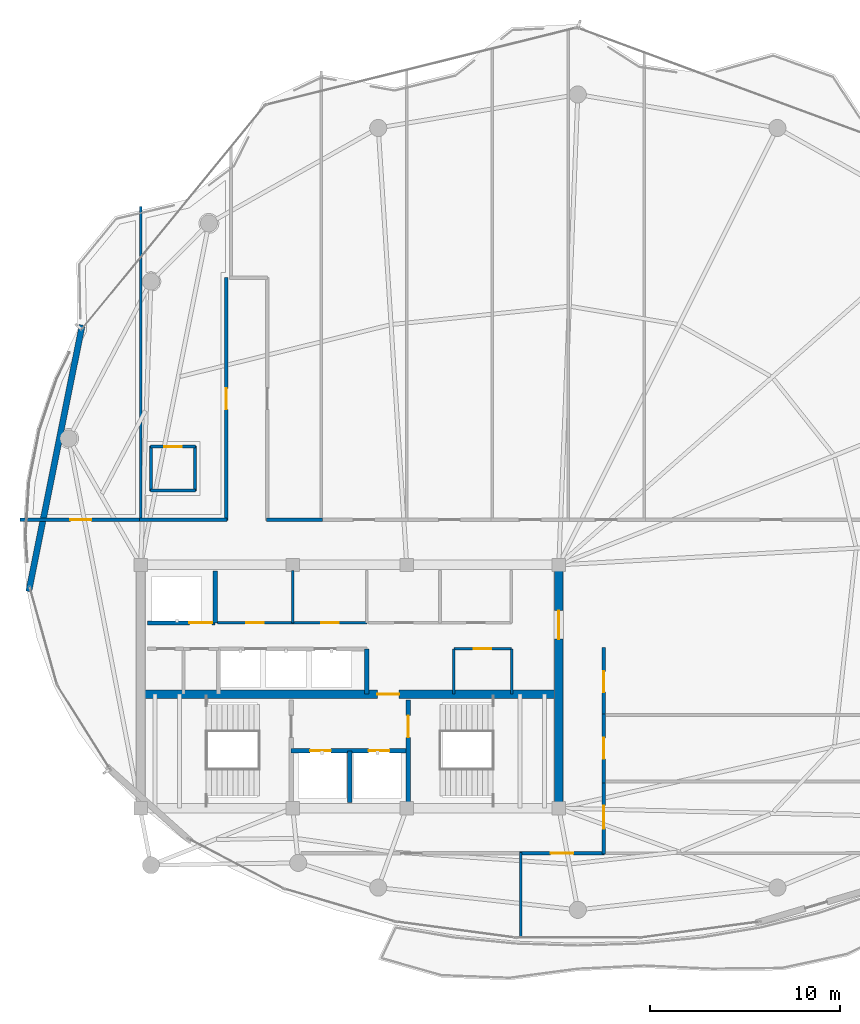
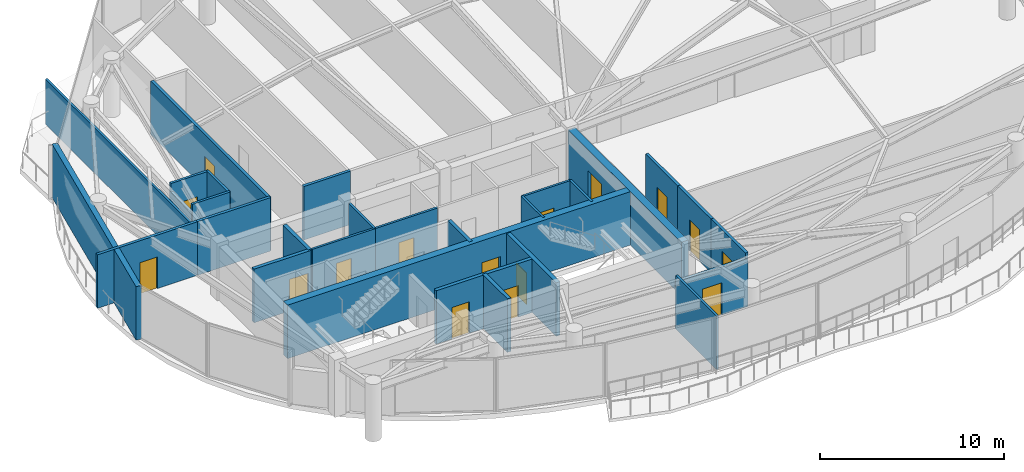
# One storey, part 24 of 29: 29 walls, 16 doors, 16 openings.
"""IFC4 building model written with IfcOpenShell, lengths in metres."""

from ifc_helpers import new_model, si_unit, direction, frame, frame_2d, origin, place, context, subcontext, project, spatial, rectangle, extrude, material, layer, layer_set, type_object, element, fill, save


model = new_model("IFC4")

# Units and contexts
model_context = context("Model", 3, precision=1e-05, world=origin(), true_north=direction((0.0, 1.0)))
body_context = subcontext(model_context, "Body", "Model", "MODEL_VIEW")
ifc_project = project(units=[si_unit("LENGTHUNIT", "METRE"), si_unit("AREAUNIT", "SQUARE_METRE"), si_unit("VOLUMEUNIT", "CUBIC_METRE"), si_unit("PLANEANGLEUNIT", "RADIAN"), si_unit("MASSUNIT", "GRAM", prefix="KILO")], contexts=[model_context])

# Site, building, storey
site_placement = place(None, origin())
site = spatial("IfcSite", under=ifc_project, at=site_placement, CompositionType="ELEMENT")
building_placement = place(site_placement, origin())
building = spatial("IfcBuilding", under=site, at=building_placement, Name="Kazevale Care Tower and Concert Hall", CompositionType="ELEMENT")
storey_placement = place(building_placement, frame((0.0, 0.0, 281.39990234375)))
storey = spatial("IfcBuildingStorey", under=building, at=storey_placement, Name="L74", CompositionType="ELEMENT", Elevation=281.39990234375)

# Wall, opening, door
ifc_material_1 = material(Name="Acoustic Gypsum on Steel Stud", Category="steel")
ifc_layer_1 = layer(ifc_material_1, 0.139892578125)
ifc_layer_set_1 = layer_set([ifc_layer_1], Name="Acoustic Gypsum on Steel Stud")
wall_type_1 = type_object("IfcWallType", Name="Acoustic Care & Suite Partition 140", PredefinedType="PARTITIONING", material=ifc_layer_set_1)
wall_1_placement = place(storey_placement, frame((26.050048828125, 33.35009765625, 0.0), z_axis=(0.0, 0.0, 1.0), x_axis=(1.0, 0.0, 0.0)))
wall_1 = element("IfcWall", 1, at=wall_1_placement, inside=storey, type_object=wall_type_1, Name="wall:L74:c_rpl1_s", PredefinedType="PARTITIONING", context=body_context, shape_type="SweptSolid", body=[
    extrude(rectangle(XDim=3.949951171875, YDim=0.139892578125, at=frame_2d((1.97509765625, 0.0))), origin(), (0.0, 0.0, 1.0), 3.56005859375),
])
opening_1_placement = place(wall_1_placement, frame((1.514892578125, 0.0, 0.0)))
opening_1 = element("IfcOpeningElement", 2, at=opening_1_placement, cuts=wall_1, Name="Opening ID-900", PredefinedType="OPENING", context=body_context, shape_type="SweptSolid", body=[
    extrude(rectangle(XDim=0.919921875, YDim=2.10009765625, at=frame_2d((0.4599609375, 1.050048828125))), frame((0.0, 0.079833984375, 0.0), z_axis=(0.0, -1.0, 0.0), x_axis=(1.0, 0.0, 0.0)), (0.0, 0.0, 1.0), 0.159912109375),
])
ifc_material_2 = material(Name="Oak Timber Fire Leaf", Category="wood")
door_type_1 = type_object("IfcDoorType", Name="Bathroom & Service Door 920x2100", OperationType="NOTDEFINED", PredefinedType="DOOR", material=ifc_material_2)
door_1_placement = place(opening_1_placement, origin())
door_1 = element("IfcDoor", 3, at=door_1_placement, inside=storey, type_object=door_type_1, Name="door:L74:d_rpl1", OperationType="SINGLE_SWING_LEFT", OverallHeight=2.10009765625, OverallWidth=0.919921875, PredefinedType="DOOR", context=body_context, shape_type="SweptSolid", body=[
    extrude(rectangle(XDim=0.919921875, YDim=2.10009765625, at=frame_2d((0.4599609375, 1.050048828125))), frame((0.0, 0.02490234375, 0.0), z_axis=(0.0, -1.0, 0.0), x_axis=(1.0, 0.0, 0.0)), (0.0, 0.0, 1.0), 0.050048828125),
])
fill(opening_1, door_1)

wall_2_placement = place(storey_placement, frame((30.0, 33.35009765625, 0.0), z_axis=(0.0, 0.0, 1.0), x_axis=(1.0, 0.0, 0.0)))
wall_2 = element("IfcWall", 4, at=wall_2_placement, inside=storey, type_object=wall_type_1, Name="wall:L74:c_rpl2_s", PredefinedType="PARTITIONING", context=body_context, shape_type="SweptSolid", body=[
    extrude(rectangle(XDim=3.919921875, YDim=0.139892578125, at=frame_2d((1.9599609375, 0.0))), origin(), (0.0, 0.0, 1.0), 3.56005859375),
])
opening_2_placement = place(wall_2_placement, frame((1.5, 0.0, 0.0)))
opening_2 = element("IfcOpeningElement", 5, at=opening_2_placement, cuts=wall_2, Name="Opening ID-900", PredefinedType="OPENING", context=body_context, shape_type="SweptSolid", body=[
    extrude(rectangle(XDim=0.919921875, YDim=2.10009765625, at=frame_2d((0.4599609375, 1.050048828125))), frame((0.0, 0.079833984375, 0.0), z_axis=(0.0, -1.0, 0.0), x_axis=(1.0, 0.0, 0.0)), (0.0, 0.0, 1.0), 0.159912109375),
])
door_2_placement = place(opening_2_placement, origin())
door_2 = element("IfcDoor", 6, at=door_2_placement, inside=storey, type_object=door_type_1, Name="door:L74:d_rpl2", OperationType="SINGLE_SWING_RIGHT", OverallHeight=2.10009765625, OverallWidth=0.919921875, PredefinedType="DOOR", context=body_context, shape_type="SweptSolid", body=[
    extrude(rectangle(XDim=0.919921875, YDim=2.10009765625, at=frame_2d((0.4599609375, 1.050048828125))), frame((0.0, 0.02490234375, 0.0), z_axis=(0.0, -1.0, 0.0), x_axis=(1.0, 0.0, 0.0)), (0.0, 0.0, 1.0), 0.050048828125),
])
fill(opening_2, door_2)

# Walls
wall_3_placement = place(storey_placement, frame((30.0, 33.35009765625, 0.0), z_axis=(0.0, 0.0, 1.0), x_axis=(0.0, 1.0, 0.0)))
element("IfcWall", 7, at=wall_3_placement, inside=storey, type_object=wall_type_1, Name="wall:L74:c_rpl_m", PredefinedType="PARTITIONING", context=body_context, shape_type="SweptSolid", body=[
    extrude(rectangle(XDim=2.75, YDim=0.139892578125, at=frame_2d((1.375, 0.0))), origin(), (0.0, 0.0, 1.0), 3.56005859375),
])
for number, where, z_axis, x_axis, name in (
    (8, (38.47998046875, 29.6201171875, 0.0), (0.0, 0.0, 1.0), (0.0, 1.0, 0.0), "wall:L74:kb_ew"),
    (9, (41.52001953125, 29.6201171875, 0.0), (0.0, 0.0, 1.0), (0.0, 1.0, 0.0), "wall:L74:kb_ee"),
):
    element("IfcWall", number, at=place(storey_placement, frame(where, z_axis=z_axis, x_axis=x_axis)), inside=storey, type_object=wall_type_1, Name=name, PredefinedType="PARTITIONING", context=body_context, shape_type="SweptSolid", body=[
        extrude(rectangle(XDim=2.35986328125, YDim=0.139892578125, at=frame_2d((1.179931640625, 0.0))), origin(), (0.0, 0.0, 1.0), 3.56005859375),
    ])

# Wall, opening, door
wall_4_placement = place(storey_placement, frame((38.47998046875, 31.97998046875, 0.0), z_axis=(0.0, 0.0, 1.0), x_axis=(1.0, 0.0, 0.0)))
wall_4 = element("IfcWall", 10, at=wall_4_placement, inside=storey, type_object=wall_type_1, Name="wall:L74:kb_en", PredefinedType="PARTITIONING", context=body_context, shape_type="SweptSolid", body=[
    extrude(rectangle(XDim=3.0400390625, YDim=0.139892578125, at=frame_2d((1.52001953125, 0.0))), origin(), (0.0, 0.0, 1.0), 3.56005859375),
])
opening_3_placement = place(wall_4_placement, frame((1.044921875, 0.0, 0.0)))
opening_3 = element("IfcOpeningElement", 11, at=opening_3_placement, cuts=wall_4, Name="Opening ID-900", PredefinedType="OPENING", context=body_context, shape_type="SweptSolid", body=[
    extrude(rectangle(XDim=0.919921875, YDim=2.10009765625, at=frame_2d((0.4599609375, 1.050048828125))), frame((0.0, 0.079833984375, 0.0), z_axis=(0.0, -1.0, 0.0), x_axis=(1.0, 0.0, 0.0)), (0.0, 0.0, 1.0), 0.159912109375),
])
door_3_placement = place(opening_3_placement, origin())
door_3 = element("IfcDoor", 12, at=door_3_placement, inside=storey, type_object=door_type_1, Name="door:L74:d_kbe", OperationType="SINGLE_SWING_LEFT", OverallHeight=2.10009765625, OverallWidth=0.919921875, PredefinedType="DOOR", context=body_context, shape_type="SweptSolid", body=[
    extrude(rectangle(XDim=0.919921875, YDim=2.10009765625, at=frame_2d((0.4599609375, 1.050048828125))), frame((0.0, 0.02490234375, 0.0), z_axis=(0.0, -1.0, 0.0), x_axis=(1.0, 0.0, 0.0)), (0.0, 0.0, 1.0), 0.050048828125),
])
fill(opening_3, door_3)

# Walls
wall_5_placement = place(storey_placement, frame((22.0, 55.251953125, 0.0), z_axis=(0.0, 0.0, 1.0), x_axis=(0.0, -1.0, 0.0)))
element("IfcWall", 13, at=wall_5_placement, inside=storey, type_object=wall_type_1, Name="wall:L74:auto_018", PredefinedType="PARTITIONING", context=body_context, shape_type="SweptSolid", body=[
    extrude(rectangle(XDim=16.5068359375, YDim=0.139892578125, at=frame_2d((8.25341796875, 0.0))), origin(), (0.0, 0.0, 1.0), 3.006103515625),
])
wall_6_placement = place(storey_placement, frame((42.0, 21.2548828125, 0.0), z_axis=(0.0, 0.0, 1.0), x_axis=(0.0, -1.0, 0.0)))
element("IfcWall", 14, at=wall_6_placement, inside=storey, type_object=wall_type_1, Name="wall:L74:auto_029", PredefinedType="PARTITIONING", context=body_context, shape_type="SweptSolid", body=[
    extrude(rectangle(XDim=4.4599609375, YDim=0.139892578125, at=frame_2d((2.22998046875, 0.0))), origin(), (0.0, 0.0, 1.0), 3.56005859375),
])

# Wall, opening, door
ifc_material_3 = material(Name="Concrete C50", Category="concrete")
ifc_layer_2 = layer(ifc_material_3, 0.449951171875)
ifc_layer_set_2 = layer_set([ifc_layer_2], Name="Concrete C50")
wall_type_2 = type_object("IfcWallType", Name="Core Shear Wall 450 C50", PredefinedType="SHEAR", material=ifc_layer_set_2)
wall_7_placement = place(storey_placement, frame((44.0, 23.824951171875, 0.0), z_axis=(0.0, 0.0, 1.0), x_axis=(0.0, 1.0, 0.0)))
wall_7 = element("IfcWall", 15, at=wall_7_placement, inside=storey, type_object=wall_type_2, Name="wall:L74:core:E", PredefinedType="SHEAR", context=body_context, shape_type="SweptSolid", body=[
    extrude(rectangle(XDim=12.35009765625, YDim=0.449951171875, at=frame_2d((6.175048828125, 0.0))), origin(), (0.0, 0.0, 1.0), 3.56005859375),
])
opening_4_placement = place(wall_7_placement, frame((8.675048828125, 0.0, 0.0)))
opening_4 = element("IfcOpeningElement", 16, at=opening_4_placement, cuts=wall_7, Name="Opening FD-60D", PredefinedType="OPENING", context=body_context, shape_type="SweptSolid", body=[
    extrude(rectangle(XDim=1.5, YDim=2.14990234375, at=frame_2d((0.75, 1.074951171875))), frame((0.0, 0.23486328125, 0.0), z_axis=(0.0, -1.0, 0.0), x_axis=(1.0, 0.0, 0.0)), (0.0, 0.0, 1.0), 0.469970703125),
])
door_type_2 = type_object("IfcDoorType", Name="Double Lobby & Auditorium Fire Door 1500x2150", OperationType="NOTDEFINED", PredefinedType="DOOR", material=ifc_material_2)
door_4_placement = place(opening_4_placement, origin())
door_4 = element("IfcDoor", 17, at=door_4_placement, inside=storey, type_object=door_type_2, Name="door:L74:core_east_out", OperationType="DOUBLE_DOOR_SINGLE_SWING", OverallHeight=2.14990234375, OverallWidth=1.5, PredefinedType="DOOR", context=body_context, shape_type="SweptSolid", body=[
    extrude(rectangle(XDim=1.5, YDim=2.14990234375, at=frame_2d((0.75, 1.074951171875))), frame((0.0, 0.02490234375, 0.0), z_axis=(0.0, -1.0, 0.0), x_axis=(1.0, 0.0, 0.0)), (0.0, 0.0, 1.0), 0.050048828125),
])
fill(opening_4, door_4)

wall_8_placement = place(storey_placement, frame((22.22509765625, 29.60009765625, 0.0), z_axis=(0.0, 0.0, 1.0), x_axis=(1.0, 0.0, 0.0)))
wall_8 = element("IfcWall", 18, at=wall_8_placement, inside=storey, type_object=wall_type_2, Name="wall:L74:core:M", PredefinedType="SHEAR", context=body_context, shape_type="SweptSolid", body=[
    extrude(rectangle(XDim=21.5498046875, YDim=0.449951171875, at=frame_2d((10.77490234375, 0.0))), origin(), (0.0, 0.0, 1.0), 3.56005859375),
])
opening_5_placement = place(wall_8_placement, frame((12.22509765625, 0.0, 0.0)))
opening_5 = element("IfcOpeningElement", 19, at=opening_5_placement, cuts=wall_8, Name="Opening FD-90", PredefinedType="OPENING", context=body_context, shape_type="SweptSolid", body=[
    extrude(rectangle(XDim=1.14990234375, YDim=2.10009765625, at=frame_2d((0.574951171875, 1.050048828125))), frame((0.0, 0.23486328125, 0.0), z_axis=(0.0, -1.0, 0.0), x_axis=(1.0, 0.0, 0.0)), (0.0, 0.0, 1.0), 0.469970703125),
])
ifc_material_4 = material(Name="Steel ASTM A572 Gr 50", Category="steel")
door_type_3 = type_object("IfcDoorType", Name="Pressurized Stair & Lobby Fire Door 1150x2100", OperationType="NOTDEFINED", PredefinedType="DOOR", material=ifc_material_4)
door_5_placement = place(opening_5_placement, origin())
door_5 = element("IfcDoor", 20, at=door_5_placement, inside=storey, type_object=door_type_3, Name="door:L74:ff_to_pax", OperationType="SINGLE_SWING_LEFT", OverallHeight=2.10009765625, OverallWidth=1.14990234375, PredefinedType="DOOR", context=body_context, shape_type="SweptSolid", body=[
    extrude(rectangle(XDim=1.14990234375, YDim=2.10009765625, at=frame_2d((0.574951171875, 1.050048828125))), frame((0.0, 0.02490234375, 0.0), z_axis=(0.0, -1.0, 0.0), x_axis=(1.0, 0.0, 0.0)), (0.0, 0.0, 1.0), 0.050048828125),
])
fill(opening_5, door_5)

# Wall, openings, doors
ifc_material_5 = material(Name="Concrete C40", Category="concrete")
ifc_layer_3 = layer(ifc_material_5, 0.219970703125)
ifc_layer_set_3 = layer_set([ifc_layer_3], Name="Concrete C40")
wall_type_3 = type_object("IfcWallType", Name="Elevator Hoistway Shaft Wall 220", PredefinedType="SOLIDWALL", material=ifc_layer_set_3)
wall_9_placement = place(storey_placement, frame((29.919921875, 26.6201171875, 0.0), z_axis=(0.0, 0.0, 1.0), x_axis=(1.0, 0.0, 0.0)))
wall_9 = element("IfcWall", 21, at=wall_9_placement, inside=storey, type_object=wall_type_3, Name="wall:L74:c_ffl_n", PredefinedType="SOLIDWALL", context=body_context, shape_type="SweptSolid", body=[
    extrude(rectangle(XDim=6.16015625, YDim=0.219970703125, at=frame_2d((3.080078125, 0.0))), origin(), (0.0, 0.0, 1.0), 3.56005859375),
])
opening_6_placement = place(wall_9_placement, frame((0.989990234375, 0.0, 0.0)))
opening_6 = element("IfcOpeningElement", 22, at=opening_6_placement, cuts=wall_9, Name="Opening LD-FF", PredefinedType="OPENING", context=body_context, shape_type="SweptSolid", body=[
    extrude(rectangle(XDim=1.10009765625, YDim=2.10009765625, at=frame_2d((0.550048828125, 1.050048828125))), frame((0.0, 0.119873046875, 0.0), z_axis=(0.0, -1.0, 0.0), x_axis=(1.0, 0.0, 0.0)), (0.0, 0.0, 1.0), 0.239990234375),
])
opening_7_placement = place(wall_9_placement, frame((4.070068359375, 0.0, 0.0)))
opening_7 = element("IfcOpeningElement", 23, at=opening_7_placement, cuts=wall_9, Name="Opening LD-FF", PredefinedType="OPENING", context=body_context, shape_type="SweptSolid", body=[
    extrude(rectangle(XDim=1.10009765625, YDim=2.10009765625, at=frame_2d((0.550048828125, 1.050048828125))), frame((0.0, 0.119873046875, 0.0), z_axis=(0.0, -1.0, 0.0), x_axis=(1.0, 0.0, 0.0)), (0.0, 0.0, 1.0), 0.239990234375),
])
ifc_material_6 = material(Name="Stainless Steel 316", Category="steel")
door_type_4 = type_object("IfcDoorType", Name="Emergency Lift Sliding Landing Door 1100x2100", OperationType="NOTDEFINED", PredefinedType="DOOR", material=ifc_material_6)
door_6_placement = place(opening_6_placement, origin())
door_6 = element("IfcDoor", 24, at=door_6_placement, inside=storey, type_object=door_type_4, Name="door:L74:ld_ffl1", OperationType="SLIDING_TO_LEFT", OverallHeight=2.10009765625, OverallWidth=1.10009765625, PredefinedType="DOOR", context=body_context, shape_type="SweptSolid", body=[
    extrude(rectangle(XDim=1.10009765625, YDim=2.10009765625, at=frame_2d((0.550048828125, 1.050048828125))), frame((0.0, 0.02490234375, 0.0), z_axis=(0.0, -1.0, 0.0), x_axis=(1.0, 0.0, 0.0)), (0.0, 0.0, 1.0), 0.050048828125),
])
fill(opening_6, door_6)
door_7_placement = place(opening_7_placement, origin())
door_7 = element("IfcDoor", 25, at=door_7_placement, inside=storey, type_object=door_type_4, Name="door:L74:ld_ffl2", OperationType="SLIDING_TO_RIGHT", OverallHeight=2.10009765625, OverallWidth=1.10009765625, PredefinedType="DOOR", context=body_context, shape_type="SweptSolid", body=[
    extrude(rectangle(XDim=1.10009765625, YDim=2.10009765625, at=frame_2d((0.550048828125, 1.050048828125))), frame((0.0, 0.02490234375, 0.0), z_axis=(0.0, -1.0, 0.0), x_axis=(1.0, 0.0, 0.0)), (0.0, 0.0, 1.0), 0.050048828125),
])
fill(opening_7, door_7)

# Walls
wall_10_placement = place(storey_placement, frame((33.0, 23.89990234375, 0.0), z_axis=(0.0, 0.0, 1.0), x_axis=(0.0, 1.0, 0.0)))
element("IfcWall", 26, at=wall_10_placement, inside=storey, type_object=wall_type_3, Name="wall:L74:c_ffl_m", PredefinedType="SOLIDWALL", context=body_context, shape_type="SweptSolid", body=[
    extrude(rectangle(XDim=2.72021484375, YDim=0.219970703125, at=frame_2d((1.360107421875, 0.0))), origin(), (0.0, 0.0, 1.0), 3.56005859375),
])
wall_11_placement = place(storey_placement, frame((25.919921875, 33.35009765625, 0.0), z_axis=(0.0, 0.0, 1.0), x_axis=(0.0, 1.0, 0.0)))
element("IfcWall", 27, at=wall_11_placement, inside=storey, type_object=wall_type_3, Name="wall:L74:c_svl_e", PredefinedType="SOLIDWALL", context=body_context, shape_type="SweptSolid", body=[
    extrude(rectangle(XDim=2.72998046875, YDim=0.219970703125, at=frame_2d((1.364990234375, 0.0))), origin(), (0.0, 0.0, 1.0), 3.56005859375),
])

# Wall, opening, door
wall_12_placement = place(storey_placement, frame((22.35009765625, 33.35009765625, 0.0), z_axis=(0.0, 0.0, 1.0), x_axis=(1.0, 0.0, 0.0)))
wall_12 = element("IfcWall", 28, at=wall_12_placement, inside=storey, type_object=wall_type_3, Name="wall:L74:c_svl_s", PredefinedType="SOLIDWALL", context=body_context, shape_type="SweptSolid", body=[
    extrude(rectangle(XDim=3.56982421875, YDim=0.219970703125, at=frame_2d((1.784912109375, 0.0))), origin(), (0.0, 0.0, 1.0), 3.56005859375),
])
opening_8_placement = place(wall_12_placement, frame((2.212890625, 0.0, 0.0)))
opening_8 = element("IfcOpeningElement", 29, at=opening_8_placement, cuts=wall_12, Name="Opening LD-SV", PredefinedType="OPENING", context=body_context, shape_type="SweptSolid", body=[
    extrude(rectangle(XDim=1.199951171875, YDim=2.10009765625, at=frame_2d((0.60009765625, 1.050048828125))), frame((0.0, 0.119873046875, 0.0), z_axis=(0.0, -1.0, 0.0), x_axis=(1.0, 0.0, 0.0)), (0.0, 0.0, 1.0), 0.239990234375),
])
door_type_5 = type_object("IfcDoorType", Name="Service Lift Sliding Landing Door 1200x2100", OperationType="NOTDEFINED", PredefinedType="DOOR", material=ifc_material_6)
door_8_placement = place(opening_8_placement, origin())
door_8 = element("IfcDoor", 30, at=door_8_placement, inside=storey, type_object=door_type_5, Name="door:L74:ld_svl1", OperationType="SLIDING_TO_LEFT", OverallHeight=2.10009765625, OverallWidth=1.199951171875, PredefinedType="DOOR", context=body_context, shape_type="SweptSolid", body=[
    extrude(rectangle(XDim=1.199951171875, YDim=2.10009765625, at=frame_2d((0.60009765625, 1.050048828125))), frame((0.0, 0.02490234375, 0.0), z_axis=(0.0, -1.0, 0.0), x_axis=(1.0, 0.0, 0.0)), (0.0, 0.0, 1.0), 0.050048828125),
])
fill(opening_8, door_8)

# Wall
wall_13_placement = place(storey_placement, frame((33.89990234375, 29.6201171875, 0.0), z_axis=(0.0, 0.0, 1.0), x_axis=(0.0, 1.0, 0.0)))
element("IfcWall", 31, at=wall_13_placement, inside=storey, type_object=wall_type_3, Name="wall:L74:c_ph_e", PredefinedType="SOLIDWALL", context=body_context, shape_type="SweptSolid", body=[
    extrude(rectangle(XDim=2.35986328125, YDim=0.219970703125, at=frame_2d((1.179931640625, 0.0))), origin(), (0.0, 0.0, 1.0), 3.56005859375),
])

# Wall, opening, door
ifc_material_7 = material(Name="Concrete C40 and Acoustic Gypsum", Category="concrete")
ifc_layer_4 = layer(ifc_material_7, 0.179931640625)
ifc_layer_set_4 = layer_set([ifc_layer_4], Name="Concrete C40 and Acoustic Gypsum")
wall_type_4 = type_object("IfcWallType", Name="Fire-Rated Corridor & Party Wall 180", PredefinedType="PARTITIONING", material=ifc_layer_set_4)
wall_14_placement = place(storey_placement, frame((15.65087890625, 38.77490234375, 0.0), z_axis=(0.0, 0.0, 1.0), x_axis=(1.0, 0.0, 0.0)))
wall_14 = element("IfcWall", 32, at=wall_14_placement, inside=storey, type_object=wall_type_4, Name="wall:L74:auto_001", PredefinedType="PARTITIONING", context=body_context, shape_type="SweptSolid", body=[
    extrude(rectangle(XDim=6.4140625, YDim=0.179931640625, at=frame_2d((3.20703125, 0.0))), origin(), (0.0, 0.0, 1.0), 3.56005859375),
])
opening_9_placement = place(wall_14_placement, frame((2.656982421875, 0.0, 0.0)))
opening_9 = element("IfcOpeningElement", 33, at=opening_9_placement, cuts=wall_14, Name="Opening ID-1100", PredefinedType="OPENING", context=body_context, shape_type="SweptSolid", body=[
    extrude(rectangle(XDim=1.10009765625, YDim=2.10009765625, at=frame_2d((0.550048828125, 1.050048828125))), frame((0.0, 0.099853515625, 0.0), z_axis=(0.0, -1.0, 0.0), x_axis=(1.0, 0.0, 0.0)), (0.0, 0.0, 1.0), 0.199951171875),
])
door_type_6 = type_object("IfcDoorType", Name="Care Bedroom Accessible Door 1100x2100", OperationType="NOTDEFINED", PredefinedType="DOOR", material=ifc_material_2)
door_9_placement = place(opening_9_placement, origin())
door_9 = element("IfcDoor", 34, at=door_9_placement, inside=storey, type_object=door_type_6, Name="door:L74:ad_001", OperationType="SINGLE_SWING_LEFT", OverallHeight=2.10009765625, OverallWidth=1.10009765625, PredefinedType="DOOR", context=body_context, shape_type="SweptSolid", body=[
    extrude(rectangle(XDim=1.10009765625, YDim=2.10009765625, at=frame_2d((0.550048828125, 1.050048828125))), frame((0.0, 0.02490234375, 0.0), z_axis=(0.0, -1.0, 0.0), x_axis=(1.0, 0.0, 0.0)), (0.0, 0.0, 1.0), 0.050048828125),
])
fill(opening_9, door_9)

wall_15_placement = place(storey_placement, frame((26.5, 38.7451171875, 0.0), z_axis=(0.0, 0.0, 1.0), x_axis=(0.0, 1.0, 0.0)))
wall_15 = element("IfcWall", 35, at=wall_15_placement, inside=storey, type_object=wall_type_4, Name="wall:L74:auto_002", PredefinedType="PARTITIONING", context=body_context, shape_type="SweptSolid", body=[
    extrude(rectangle(XDim=12.784912109375, YDim=0.179931640625, at=frame_2d((6.392578125, 0.0))), origin(), (0.0, 0.0, 1.0), 3.56005859375),
])
opening_10_placement = place(wall_15_placement, frame((5.843017578125, 0.0, 0.0)))
opening_10 = element("IfcOpeningElement", 36, at=opening_10_placement, cuts=wall_15, Name="Opening ID-1100", PredefinedType="OPENING", context=body_context, shape_type="SweptSolid", body=[
    extrude(rectangle(XDim=1.10009765625, YDim=2.10009765625, at=frame_2d((0.550048828125, 1.050048828125))), frame((0.0, 0.099853515625, 0.0), z_axis=(0.0, -1.0, 0.0), x_axis=(1.0, 0.0, 0.0)), (0.0, 0.0, 1.0), 0.199951171875),
])
door_10_placement = place(opening_10_placement, origin())
door_10 = element("IfcDoor", 37, at=door_10_placement, inside=storey, type_object=door_type_6, Name="door:L74:ad_002", OperationType="SINGLE_SWING_LEFT", OverallHeight=2.10009765625, OverallWidth=1.10009765625, PredefinedType="DOOR", context=body_context, shape_type="SweptSolid", body=[
    extrude(rectangle(XDim=1.10009765625, YDim=2.10009765625, at=frame_2d((0.550048828125, 1.050048828125))), frame((0.0, 0.02490234375, 0.0), z_axis=(0.0, -1.0, 0.0), x_axis=(1.0, 0.0, 0.0)), (0.0, 0.0, 1.0), 0.050048828125),
])
fill(opening_10, door_10)

# Walls
wall_16_placement = place(storey_placement, frame((21.93505859375, 38.77490234375, 0.0), z_axis=(0.0, 0.0, 1.0), x_axis=(1.0, 0.0, 0.0)))
element("IfcWall", 38, at=wall_16_placement, inside=storey, type_object=wall_type_4, Name="wall:L74:auto_003", PredefinedType="PARTITIONING", context=body_context, shape_type="SweptSolid", body=[
    extrude(rectangle(XDim=4.594970703125, YDim=0.179931640625, at=frame_2d((2.29736328125, 0.0))), origin(), (0.0, 0.0, 1.0), 3.56005859375),
])
wall_17_placement = place(storey_placement, frame((28.6201171875, 38.77490234375, 0.0), z_axis=(0.0, 0.0, 1.0), x_axis=(1.0, 0.0, 0.0)))
element("IfcWall", 39, at=wall_17_placement, inside=storey, type_object=wall_type_4, Name="wall:L74:auto_005", PredefinedType="PARTITIONING", context=body_context, shape_type="SweptSolid", body=[
    extrude(rectangle(XDim=2.94482421875, YDim=0.179931640625, at=frame_2d((1.472412109375, 0.0))), origin(), (0.0, 0.0, 1.0), 3.56005859375),
])

# Wall, opening, door
wall_18_placement = place(storey_placement, frame((46.375, 25.06494140625, 0.0), z_axis=(0.0, 0.0, 1.0), x_axis=(0.0, -1.0, 0.0)))
wall_18 = element("IfcWall", 40, at=wall_18_placement, inside=storey, type_object=wall_type_4, Name="wall:L74:auto_013", PredefinedType="PARTITIONING", context=body_context, shape_type="SweptSolid", body=[
    extrude(rectangle(XDim=3.869873046875, YDim=0.179931640625, at=frame_2d((1.93505859375, 0.0))), origin(), (0.0, 0.0, 1.0), 3.56005859375),
])
opening_11_placement = place(wall_18_placement, frame((1.3349609375, 0.0, 0.0)))
opening_11 = element("IfcOpeningElement", 41, at=opening_11_placement, cuts=wall_18, Name="Opening ID-1200", PredefinedType="OPENING", context=body_context, shape_type="SweptSolid", body=[
    extrude(rectangle(XDim=1.199951171875, YDim=2.14990234375, at=frame_2d((0.60009765625, 1.074951171875))), frame((0.0, 0.099853515625, 0.0), z_axis=(0.0, -1.0, 0.0), x_axis=(1.0, 0.0, 0.0)), (0.0, 0.0, 1.0), 0.199951171875),
])
door_type_7 = type_object("IfcDoorType", Name="Clinical & Therapy Door 1200x2150", OperationType="NOTDEFINED", PredefinedType="DOOR", material=ifc_material_2)
door_11_placement = place(opening_11_placement, origin())
door_11 = element("IfcDoor", 42, at=door_11_placement, inside=storey, type_object=door_type_7, Name="door:L74:ad_013", OperationType="SINGLE_SWING_LEFT", OverallHeight=2.14990234375, OverallWidth=1.199951171875, PredefinedType="DOOR", context=body_context, shape_type="SweptSolid", body=[
    extrude(rectangle(XDim=1.199951171875, YDim=2.14990234375, at=frame_2d((0.60009765625, 1.074951171875))), frame((0.0, 0.02490234375, 0.0), z_axis=(0.0, -1.0, 0.0), x_axis=(1.0, 0.0, 0.0)), (0.0, 0.0, 1.0), 0.050048828125),
])
fill(opening_11, door_11)

wall_19_placement = place(storey_placement, frame((46.375, 28.56494140625, 0.0), z_axis=(0.0, 0.0, 1.0), x_axis=(0.0, -1.0, 0.0)))
wall_19 = element("IfcWall", 43, at=wall_19_placement, inside=storey, type_object=wall_type_4, Name="wall:L74:auto_014", PredefinedType="PARTITIONING", context=body_context, shape_type="SweptSolid", body=[
    extrude(rectangle(XDim=3.6298828125, YDim=0.179931640625, at=frame_2d((1.81494140625, 0.0))), origin(), (0.0, 0.0, 1.0), 3.56005859375),
])
opening_12_placement = place(wall_19_placement, frame((1.264892578125, 0.0, 0.0)))
opening_12 = element("IfcOpeningElement", 44, at=opening_12_placement, cuts=wall_19, Name="Opening ID-1100", PredefinedType="OPENING", context=body_context, shape_type="SweptSolid", body=[
    extrude(rectangle(XDim=1.10009765625, YDim=2.10009765625, at=frame_2d((0.550048828125, 1.050048828125))), frame((0.0, 0.099853515625, 0.0), z_axis=(0.0, -1.0, 0.0), x_axis=(1.0, 0.0, 0.0)), (0.0, 0.0, 1.0), 0.199951171875),
])
door_12_placement = place(opening_12_placement, origin())
door_12 = element("IfcDoor", 45, at=door_12_placement, inside=storey, type_object=door_type_6, Name="door:L74:ad_014", OperationType="SINGLE_SWING_LEFT", OverallHeight=2.10009765625, OverallWidth=1.10009765625, PredefinedType="DOOR", context=body_context, shape_type="SweptSolid", body=[
    extrude(rectangle(XDim=1.10009765625, YDim=2.10009765625, at=frame_2d((0.550048828125, 1.050048828125))), frame((0.0, 0.02490234375, 0.0), z_axis=(0.0, -1.0, 0.0), x_axis=(1.0, 0.0, 0.0)), (0.0, 0.0, 1.0), 0.050048828125),
])
fill(opening_12, door_12)

wall_20_placement = place(storey_placement, frame((46.375, 32.06494140625, 0.0), z_axis=(0.0, 0.0, 1.0), x_axis=(0.0, -1.0, 0.0)))
wall_20 = element("IfcWall", 46, at=wall_20_placement, inside=storey, type_object=wall_type_4, Name="wall:L74:auto_015", PredefinedType="PARTITIONING", context=body_context, shape_type="SweptSolid", body=[
    extrude(rectangle(XDim=3.6298828125, YDim=0.179931640625, at=frame_2d((1.81494140625, 0.0))), origin(), (0.0, 0.0, 1.0), 3.56005859375),
])
opening_13_placement = place(wall_20_placement, frame((1.264892578125, 0.0, 0.0)))
opening_13 = element("IfcOpeningElement", 47, at=opening_13_placement, cuts=wall_20, Name="Opening ID-1100", PredefinedType="OPENING", context=body_context, shape_type="SweptSolid", body=[
    extrude(rectangle(XDim=1.10009765625, YDim=2.10009765625, at=frame_2d((0.550048828125, 1.050048828125))), frame((0.0, 0.099853515625, 0.0), z_axis=(0.0, -1.0, 0.0), x_axis=(1.0, 0.0, 0.0)), (0.0, 0.0, 1.0), 0.199951171875),
])
door_13_placement = place(opening_13_placement, origin())
door_13 = element("IfcDoor", 48, at=door_13_placement, inside=storey, type_object=door_type_6, Name="door:L74:ad_015", OperationType="SINGLE_SWING_LEFT", OverallHeight=2.10009765625, OverallWidth=1.10009765625, PredefinedType="DOOR", context=body_context, shape_type="SweptSolid", body=[
    extrude(rectangle(XDim=1.10009765625, YDim=2.10009765625, at=frame_2d((0.550048828125, 1.050048828125))), frame((0.0, 0.02490234375, 0.0), z_axis=(0.0, -1.0, 0.0), x_axis=(1.0, 0.0, 0.0)), (0.0, 0.0, 1.0), 0.050048828125),
])
fill(opening_13, door_13)

wall_21_placement = place(storey_placement, frame((46.405029296875, 21.22509765625, 0.0), z_axis=(0.0, 0.0, 1.0), x_axis=(-1.0, 0.0, 0.0)))
wall_21 = element("IfcWall", 49, at=wall_21_placement, inside=storey, type_object=wall_type_4, Name="wall:L74:auto_017", PredefinedType="PARTITIONING", context=body_context, shape_type="SweptSolid", body=[
    extrude(rectangle(XDim=4.469970703125, YDim=0.179931640625, at=frame_2d((2.23486328125, 0.0))), origin(), (0.0, 0.0, 1.0), 3.196044921875),
])
opening_14_placement = place(wall_21_placement, frame((1.635009765625, 0.0, 0.0)))
opening_14 = element("IfcOpeningElement", 50, at=opening_14_placement, cuts=wall_21, Name="Opening ID-1200", PredefinedType="OPENING", context=body_context, shape_type="SweptSolid", body=[
    extrude(rectangle(XDim=1.199951171875, YDim=2.14990234375, at=frame_2d((0.60009765625, 1.074951171875))), frame((0.0, 0.099853515625, 0.0), z_axis=(0.0, -1.0, 0.0), x_axis=(1.0, 0.0, 0.0)), (0.0, 0.0, 1.0), 0.199951171875),
])
door_14_placement = place(opening_14_placement, origin())
door_14 = element("IfcDoor", 51, at=door_14_placement, inside=storey, type_object=door_type_7, Name="door:L74:ad_017", OperationType="SINGLE_SWING_LEFT", OverallHeight=2.14990234375, OverallWidth=1.199951171875, PredefinedType="DOOR", context=body_context, shape_type="SweptSolid", body=[
    extrude(rectangle(XDim=1.199951171875, YDim=2.14990234375, at=frame_2d((0.60009765625, 1.074951171875))), frame((0.0, 0.02490234375, 0.0), z_axis=(0.0, -1.0, 0.0), x_axis=(1.0, 0.0, 0.0)), (0.0, 0.0, 1.0), 0.050048828125),
])
fill(opening_14, door_14)

# Wall
ifc_layer_5 = layer(ifc_material_1, 0.159912109375)
ifc_layer_set_5 = layer_set([ifc_layer_5], Name="Acoustic Gypsum on Steel Stud")
wall_type_5 = type_object("IfcWallType", Name="Moisture-Resistant Bathroom Plumbing Wall 160", PredefinedType="PLUMBINGWALL", material=ifc_layer_set_5)
wall_22_placement = place(storey_placement, frame((22.510009765625, 40.324951171875, 0.0), z_axis=(0.0, 0.0, 1.0), x_axis=(1.0, 0.0, 0.0)))
element("IfcWall", 52, at=wall_22_placement, inside=storey, type_object=wall_type_5, Name="wall:L74:nb2a_ens_ws", PredefinedType="PLUMBINGWALL", context=body_context, shape_type="SweptSolid", body=[
    extrude(rectangle(XDim=2.3798828125, YDim=0.159912109375, at=frame_2d((1.18994140625, 0.0))), origin(), (0.0, 0.0, 1.0), 3.56005859375),
])

# Wall, opening, door
wall_23_placement = place(storey_placement, frame((22.510009765625, 42.625, 0.0), z_axis=(0.0, 0.0, 1.0), x_axis=(1.0, 0.0, 0.0)))
wall_23 = element("IfcWall", 53, at=wall_23_placement, inside=storey, type_object=wall_type_5, Name="wall:L74:nb2a_ens_wn", PredefinedType="PLUMBINGWALL", context=body_context, shape_type="SweptSolid", body=[
    extrude(rectangle(XDim=2.3798828125, YDim=0.159912109375, at=frame_2d((1.18994140625, 0.0))), origin(), (0.0, 0.0, 1.0), 3.56005859375),
])
opening_15_placement = place(wall_23_placement, frame((0.739990234375, 0.0, 0.0)))
opening_15 = element("IfcOpeningElement", 54, at=opening_15_placement, cuts=wall_23, Name="Opening ID-900", PredefinedType="OPENING", context=body_context, shape_type="SweptSolid", body=[
    extrude(rectangle(XDim=0.919921875, YDim=2.10009765625, at=frame_2d((0.4599609375, 1.050048828125))), frame((0.0, 0.08984375, 0.0), z_axis=(0.0, -1.0, 0.0), x_axis=(1.0, 0.0, 0.0)), (0.0, 0.0, 1.0), 0.179931640625),
])
door_15_placement = place(opening_15_placement, origin())
door_15 = element("IfcDoor", 55, at=door_15_placement, inside=storey, type_object=door_type_1, Name="door:L74:nb2a_ens_d", OperationType="SINGLE_SWING_RIGHT", OverallHeight=2.10009765625, OverallWidth=0.919921875, PredefinedType="DOOR", context=body_context, shape_type="SweptSolid", body=[
    extrude(rectangle(XDim=0.919921875, YDim=2.10009765625, at=frame_2d((0.4599609375, 1.050048828125))), frame((0.0, 0.02490234375, 0.0), z_axis=(0.0, -1.0, 0.0), x_axis=(1.0, 0.0, 0.0)), (0.0, 0.0, 1.0), 0.050048828125),
])
fill(opening_15, door_15)

# Walls
wall_24_placement = place(storey_placement, frame((22.550048828125, 40.284912109375, 0.0), z_axis=(0.0, 0.0, 1.0), x_axis=(0.0, 1.0, 0.0)))
element("IfcWall", 56, at=wall_24_placement, inside=storey, type_object=wall_type_5, Name="wall:L74:nb2a_ens_ww", PredefinedType="PLUMBINGWALL", context=body_context, shape_type="SweptSolid", body=[
    extrude(rectangle(XDim=2.380126953125, YDim=0.159912109375, at=frame_2d((1.18994140625, 0.0))), origin(), (0.0, 0.0, 1.0), 3.006103515625),
])
wall_25_placement = place(storey_placement, frame((24.85009765625, 40.284912109375, 0.0), z_axis=(0.0, 0.0, 1.0), x_axis=(0.0, 1.0, 0.0)))
element("IfcWall", 57, at=wall_25_placement, inside=storey, type_object=wall_type_5, Name="wall:L74:nb2a_ens_we", PredefinedType="PLUMBINGWALL", context=body_context, shape_type="SweptSolid", body=[
    extrude(rectangle(XDim=2.380126953125, YDim=0.159912109375, at=frame_2d((1.18994140625, 0.0))), origin(), (0.0, 0.0, 1.0), 3.56005859375),
])

# Wall, opening, door
ifc_layer_6 = layer(ifc_material_5, 0.25)
ifc_layer_set_6 = layer_set([ifc_layer_6], Name="Concrete C40")
wall_type_6 = type_object("IfcWallType", Name="Pressurized Stair Shaft Wall 250", PredefinedType="SOLIDWALL", material=ifc_layer_set_6)
wall_26_placement = place(storey_placement, frame((36.080078125, 23.89990234375, 0.0), z_axis=(0.0, 0.0, 1.0), x_axis=(0.0, 1.0, 0.0)))
wall_26 = element("IfcWall", 58, at=wall_26_placement, inside=storey, type_object=wall_type_6, Name="wall:L74:c_st2_w", PredefinedType="SOLIDWALL", context=body_context, shape_type="SweptSolid", body=[
    extrude(rectangle(XDim=5.400146484375, YDim=0.25, at=frame_2d((2.7001953125, 0.0))), origin(), (0.0, 0.0, 1.0), 3.56005859375),
])
opening_16_placement = place(wall_26_placement, frame((3.4208984375, 0.0, 0.0)))
opening_16 = element("IfcOpeningElement", 59, at=opening_16_placement, cuts=wall_26, Name="Opening FD-90", PredefinedType="OPENING", context=body_context, shape_type="SweptSolid", body=[
    extrude(rectangle(XDim=1.14990234375, YDim=2.10009765625, at=frame_2d((0.574951171875, 1.050048828125))), frame((0.0, 0.135009765625, 0.0), z_axis=(0.0, -1.0, 0.0), x_axis=(1.0, 0.0, 0.0)), (0.0, 0.0, 1.0), 0.27001953125),
])
door_16_placement = place(opening_16_placement, origin())
door_16 = element("IfcDoor", 60, at=door_16_placement, inside=storey, type_object=door_type_3, Name="door:L74:st2", OperationType="SINGLE_SWING_LEFT", OverallHeight=2.10009765625, OverallWidth=1.14990234375, PredefinedType="DOOR", context=body_context, shape_type="SweptSolid", body=[
    extrude(rectangle(XDim=1.14990234375, YDim=2.10009765625, at=frame_2d((0.574951171875, 1.050048828125))), frame((0.0, 0.02490234375, 0.0), z_axis=(0.0, -1.0, 0.0), x_axis=(1.0, 0.0, 0.0)), (0.0, 0.0, 1.0), 0.050048828125),
])
fill(opening_16, door_16)

# Wall
ifc_material_8 = material(Name="Concrete C40 with Honed Limestone Cladding", Category="masonry")
ifc_layer_7 = layer(ifc_material_8, 0.320068359375)
ifc_layer_set_7 = layer_set([ifc_layer_7], Name="Concrete C40 with Honed Limestone Cladding")
wall_type_7 = type_object("IfcWallType", Name="Tower Honed Limestone Spandrel Wall 320", PredefinedType="STANDARD", material=ifc_layer_set_7)
wall_27_placement = place(storey_placement, frame((16.111083984375, 34.9990234375, 0.0), z_axis=(0.0, 0.0, 1.0), x_axis=(0.196720235208, 0.980459662128, 0.0)))
element("IfcWall", 61, at=wall_27_placement, inside=storey, type_object=wall_type_7, Name="wall:cw:L74:f13", PredefinedType="STANDARD", context=body_context, shape_type="SweptSolid", body=[
    extrude(rectangle(XDim=14.29931640625, YDim=0.320068359375, at=frame_2d((7.149658203125, 0.0))), origin(), (0.0, 0.0, 1.0), 3.56005859375),
])

save(model, "model.ifc")
